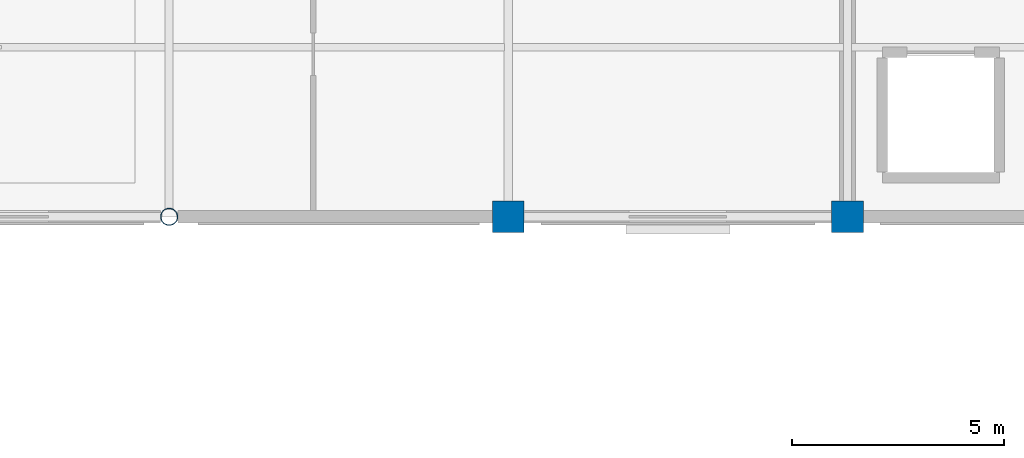
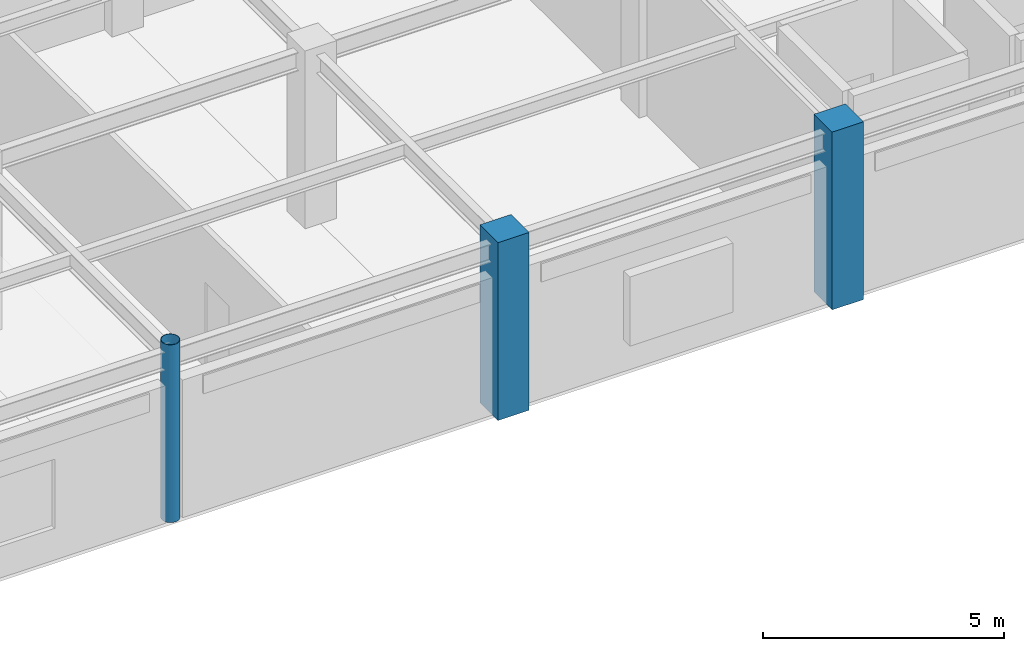
# One storey, part 12 of 78: 3 columns.
"""IFC4 building model written with IfcOpenShell, lengths in metres."""

from ifc_helpers import new_model, si_unit, direction, frame, origin, origin_2d, place, context, subcontext, project, spatial, rectangle, hollow_circle, extrude, material, material_profile, profile_set, type_object, element, save


model = new_model("IFC4")

# Units and contexts
model_context = context("Model", 3, precision=1e-05, world=origin(), true_north=direction((0.0, 1.0)))
body_context = subcontext(model_context, "Body", "Model", "MODEL_VIEW")
ifc_project = project(units=[si_unit("LENGTHUNIT", "METRE"), si_unit("AREAUNIT", "SQUARE_METRE"), si_unit("VOLUMEUNIT", "CUBIC_METRE"), si_unit("PLANEANGLEUNIT", "RADIAN"), si_unit("MASSUNIT", "GRAM", prefix="KILO")], contexts=[model_context])

# Site, building, storey
site_placement = place(None, origin())
site = spatial("IfcSite", under=ifc_project, at=site_placement, CompositionType="ELEMENT")
building_placement = place(site_placement, origin())
building = spatial("IfcBuilding", under=site, at=building_placement, Name="Solmirada Galleria", CompositionType="ELEMENT")
storey_placement = place(building_placement, frame((0.0, 0.0, 23.89990234375)))
storey = spatial("IfcBuildingStorey", under=building, at=storey_placement, Name="L05", CompositionType="ELEMENT", Elevation=23.89990234375)

# Columns
ifc_material_1 = material(Name="Steel S355 / ASTM A500 Grade C", Category="steel")
ifc_material_profile_1 = material_profile(ifc_material_1, hollow_circle(Radius=0.202880859375, WallThickness=0.01171875, at=origin_2d()), Name="HSS16.000X0.500")
ifc_profile_set_1 = profile_set([ifc_material_profile_1], Name="Steel S355 / ASTM A500 Grade C")
column_type_1 = type_object("IfcColumnType", Name="COL-CHS16", PredefinedType="COLUMN", material=ifc_profile_set_1)
column_placement = place(storey_placement, frame((144.0, 88.0, 0.0), z_axis=(0.0, 0.0, 1.0), x_axis=(1.0, 0.0, 0.0)))
element("IfcColumn", 1, at=column_placement, inside=storey, type_object=column_type_1, Name="Structural column L05-1252", PredefinedType="COLUMN", context=body_context, shape_type="SweptSolid", body=[
    extrude(hollow_circle(Radius=0.202880859375, WallThickness=0.01171875, at=origin_2d()), origin(), (0.0, 0.0, 1.0), 4.5),
])
ifc_material_2 = material(Name="Concrete C40/50", Category="concrete")
ifc_material_profile_2 = material_profile(ifc_material_2, rectangle(XDim=0.75, YDim=0.75, at=origin_2d()), Name="RC750X750")
ifc_profile_set_2 = profile_set([ifc_material_profile_2], Name="Concrete C40/50")
column_type_2 = type_object("IfcColumnType", Name="COL-RC750", PredefinedType="COLUMN", material=ifc_profile_set_2)
for number, where, z_axis, x_axis, name in (
    (2, (152.0, 88.0, 0.0), (0.0, 0.0, 1.0), (1.0, 0.0, 0.0), "Structural column L05-1325"),
    (3, (160.0, 88.0, 0.0), (0.0, 0.0, 1.0), (1.0, 0.0, 0.0), "Structural column L05-1398"),
):
    element("IfcColumn", number, at=place(storey_placement, frame(where, z_axis=z_axis, x_axis=x_axis)), inside=storey, type_object=column_type_2, Name=name, PredefinedType="COLUMN", context=body_context, shape_type="SweptSolid", body=[
        extrude(rectangle(XDim=0.75, YDim=0.75, at=origin_2d()), origin(), (0.0, 0.0, 1.0), 4.5),
    ])

save(model, "model.ifc")
